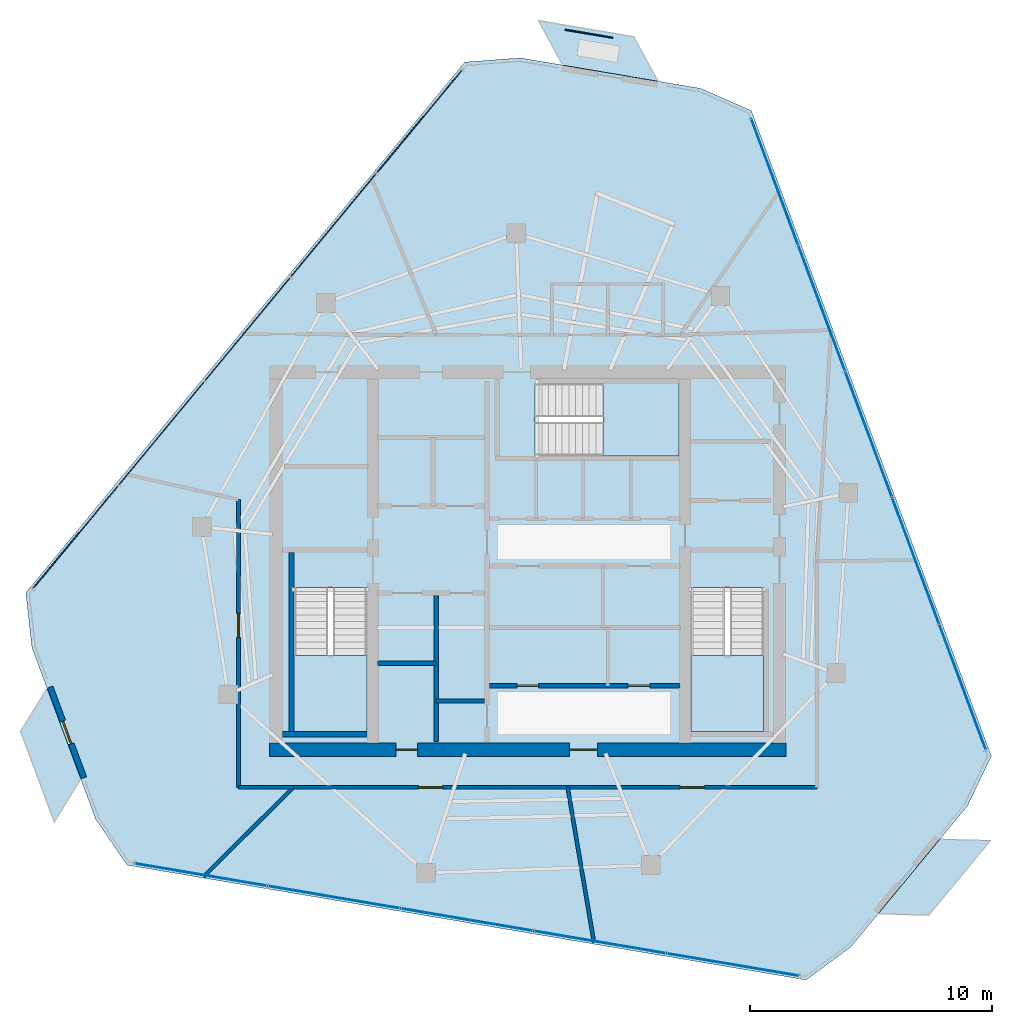
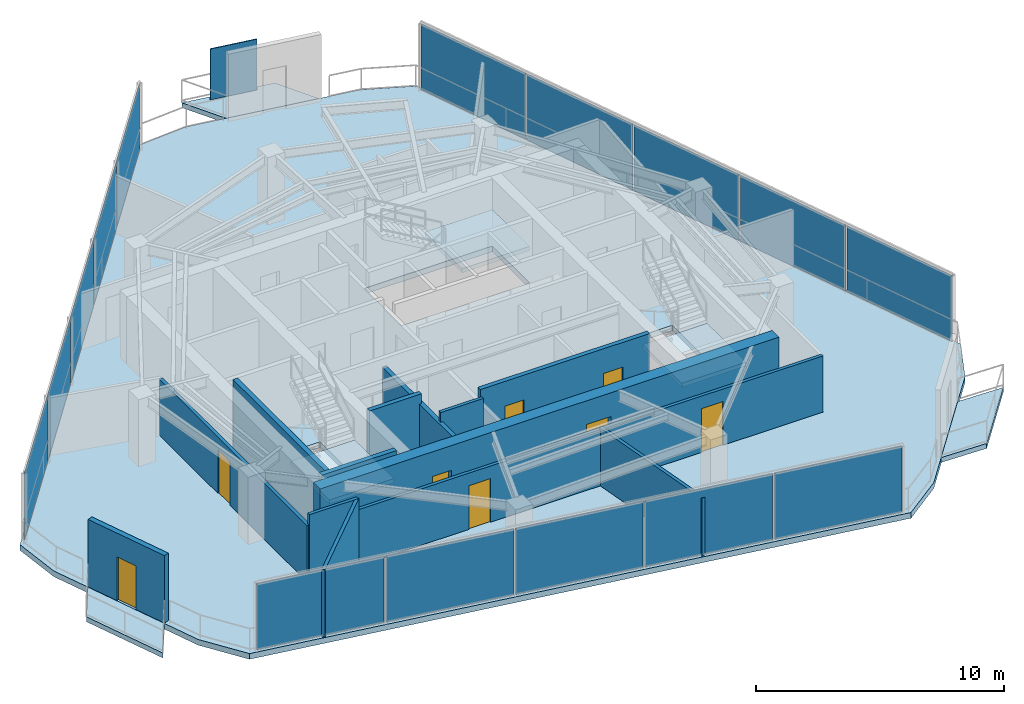
# One storey, part 14 of 19: 16 plates, 14 walls, 8 doors, 7 slabs, 8 openings, 6 elements without a shape of their own.
"""IFC4 building model written with IfcOpenShell, lengths in metres."""

from ifc_helpers import new_model, si_unit, direction, frame, frame_2d, origin, origin_2d, place, context, subcontext, project, spatial, polyline, rectangle, outline, extrude, material, layer, layer_set, type_object, element, fill, aggregate, save


model = new_model("IFC4")

# Units and contexts
model_context = context("Model", 3, precision=1e-05, world=origin(), true_north=direction((0.0, 1.0)))
body_context = subcontext(model_context, "Body", "Model", "MODEL_VIEW")
ifc_project = project(units=[si_unit("LENGTHUNIT", "METRE"), si_unit("AREAUNIT", "SQUARE_METRE"), si_unit("VOLUMEUNIT", "CUBIC_METRE"), si_unit("PLANEANGLEUNIT", "RADIAN"), si_unit("MASSUNIT", "GRAM", prefix="KILO")], contexts=[model_context])

# Site, building, storey
site_placement = place(None, origin())
site = spatial("IfcSite", under=ifc_project, at=site_placement, CompositionType="ELEMENT")
building_placement = place(site_placement, origin())
building = spatial("IfcBuilding", under=site, at=building_placement, Name="Qarnah Convention Tower", CompositionType="ELEMENT")
storey_placement = place(building_placement, frame((0.0, 0.0, 257.10009765625)))
storey = spatial("IfcBuildingStorey", under=building, at=storey_placement, Name="L69", CompositionType="ELEMENT", Elevation=257.10009765625)

# Curtain wall, plates
ifc_material_1 = material(Name="Tempered Low-E dark glass", Category="glass")
ifc_layer_1 = layer(ifc_material_1, 0.176025390625)
ifc_layer_set_1 = layer_set([ifc_layer_1], Name="Tempered Low-E dark glass")
curtain_wall_type = type_object("IfcCurtainWallType", Name="CWS-05", PredefinedType="NOTDEFINED", material=ifc_layer_set_1)
curtain_wall_1_placement = place(storey_placement, origin())
curtain_wall_1 = element("IfcCurtainWall", 1, at=curtain_wall_1_placement, inside=storey, type_object=curtain_wall_type, Name="L69 unitised curtain wall CW-L69-F1", PredefinedType="NOTDEFINED")
ifc_layer_2 = layer(ifc_material_1, 0.035888671875)
ifc_layer_set_2 = layer_set([ifc_layer_2], Name="Tempered Low-E dark glass")
plate_type_1 = type_object("IfcPlateType", Name="PNL-T5", PredefinedType="CURTAIN_PANEL", material=ifc_layer_set_2)
plate_1_placement = place(storey_placement, frame((45.677978515625, 9.7255859375, 0.0400390625), z_axis=(0.0, 0.0, 1.0), x_axis=(-0.985993152455, 0.166785800689, 0.0)))
plate_1 = element("IfcPlate", 2, at=plate_1_placement, type_object=plate_type_1, Name="CW-L69-F1 curtain panel 1.1", PredefinedType="CURTAIN_PANEL", context=body_context, shape_type="SweptSolid", body=[
    extrude(rectangle(XDim=5.489990234375, YDim=0.035888671875, at=origin_2d()), origin(), (0.0, 0.0, 1.0), 3.239990234375),
])
plate_2_placement = place(storey_placement, frame((40.18603515625, 10.654541015625, 0.0400390625), z_axis=(0.0, 0.0, 1.0), x_axis=(-0.985993152455, 0.166785800689, 0.0)))
plate_2 = element("IfcPlate", 3, at=plate_2_placement, type_object=plate_type_1, Name="CW-L69-F1 curtain panel 2.1", PredefinedType="CURTAIN_PANEL", context=body_context, shape_type="SweptSolid", body=[
    extrude(rectangle(XDim=5.489990234375, YDim=0.035888671875, at=origin_2d()), origin(), (0.0, 0.0, 1.0), 3.239990234375),
])
plate_3_placement = place(storey_placement, frame((34.694091796875, 11.58349609375, 0.0400390625), z_axis=(0.0, 0.0, 1.0), x_axis=(-0.985993152455, 0.166785800689, 0.0)))
plate_3 = element("IfcPlate", 4, at=plate_3_placement, type_object=plate_type_1, Name="CW-L69-F1 curtain panel 3.1", PredefinedType="CURTAIN_PANEL", context=body_context, shape_type="SweptSolid", body=[
    extrude(rectangle(XDim=5.489990234375, YDim=0.035888671875, at=origin_2d()), origin(), (0.0, 0.0, 1.0), 3.239990234375),
])
plate_4_placement = place(storey_placement, frame((29.201904296875, 12.512451171875, 0.0400390625), z_axis=(0.0, 0.0, 1.0), x_axis=(-0.985993152455, 0.166785800689, 0.0)))
plate_4 = element("IfcPlate", 5, at=plate_4_placement, type_object=plate_type_1, Name="CW-L69-F1 curtain panel 4.1", PredefinedType="CURTAIN_PANEL", context=body_context, shape_type="SweptSolid", body=[
    extrude(rectangle(XDim=5.489990234375, YDim=0.035888671875, at=origin_2d()), origin(), (0.0, 0.0, 1.0), 3.239990234375),
])
plate_5_placement = place(storey_placement, frame((23.7099609375, 13.44140625, 0.0400390625), z_axis=(0.0, 0.0, 1.0), x_axis=(-0.985993152455, 0.166785800689, 0.0)))
plate_5 = element("IfcPlate", 6, at=plate_5_placement, type_object=plate_type_1, Name="CW-L69-F1 curtain panel 5.1", PredefinedType="CURTAIN_PANEL", context=body_context, shape_type="SweptSolid", body=[
    extrude(rectangle(XDim=5.489990234375, YDim=0.035888671875, at=origin_2d()), origin(), (0.0, 0.0, 1.0), 3.239990234375),
])
aggregate(curtain_wall_1, [plate_1, plate_2, plate_3, plate_4, plate_5])

curtain_wall_2_placement = place(storey_placement, origin())
curtain_wall_2 = element("IfcCurtainWall", 7, at=curtain_wall_2_placement, inside=storey, type_object=curtain_wall_type, Name="L69 unitised curtain wall CW-L69-F2", PredefinedType="NOTDEFINED")
plate_6_placement = place(storey_placement, frame((47.40087890625, 42.07958984375, 0.0400390625), z_axis=(0.0, 0.0, 1.0), x_axis=(0.348572341778, -0.937281879985, 0.0)))
plate_6 = element("IfcPlate", 8, at=plate_6_placement, type_object=plate_type_1, Name="CW-L69-F2 curtain panel 1.1", PredefinedType="CURTAIN_PANEL", context=body_context, shape_type="SweptSolid", body=[
    extrude(rectangle(XDim=5.490234375, YDim=0.035888671875, at=origin_2d()), origin(), (0.0, 0.0, 1.0), 3.239990234375),
])
plate_7_placement = place(storey_placement, frame((49.34228515625, 36.85888671875, 0.0400390625), z_axis=(0.0, 0.0, 1.0), x_axis=(0.348572341778, -0.937281879985, 0.0)))
plate_7 = element("IfcPlate", 9, at=plate_7_placement, type_object=plate_type_1, Name="CW-L69-F2 curtain panel 2.1", PredefinedType="CURTAIN_PANEL", context=body_context, shape_type="SweptSolid", body=[
    extrude(rectangle(XDim=5.490234375, YDim=0.035888671875, at=origin_2d()), origin(), (0.0, 0.0, 1.0), 3.239990234375),
])
plate_8_placement = place(storey_placement, frame((51.283935546875, 31.637939453125, 0.0400390625), z_axis=(0.0, 0.0, 1.0), x_axis=(0.348572341778, -0.937281879985, 0.0)))
plate_8 = element("IfcPlate", 10, at=plate_8_placement, type_object=plate_type_1, Name="CW-L69-F2 curtain panel 3.1", PredefinedType="CURTAIN_PANEL", context=body_context, shape_type="SweptSolid", body=[
    extrude(rectangle(XDim=5.490234375, YDim=0.035888671875, at=origin_2d()), origin(), (0.0, 0.0, 1.0), 3.239990234375),
])
plate_9_placement = place(storey_placement, frame((53.2255859375, 26.417236328125, 0.0400390625), z_axis=(0.0, 0.0, 1.0), x_axis=(0.348572341778, -0.937281879985, 0.0)))
plate_9 = element("IfcPlate", 11, at=plate_9_placement, type_object=plate_type_1, Name="CW-L69-F2 curtain panel 4.1", PredefinedType="CURTAIN_PANEL", context=body_context, shape_type="SweptSolid", body=[
    extrude(rectangle(XDim=5.490234375, YDim=0.035888671875, at=origin_2d()), origin(), (0.0, 0.0, 1.0), 3.239990234375),
])
plate_10_placement = place(storey_placement, frame((55.167236328125, 21.1962890625, 0.0400390625), z_axis=(0.0, 0.0, 1.0), x_axis=(0.348572341778, -0.937281879985, 0.0)))
plate_10 = element("IfcPlate", 12, at=plate_10_placement, type_object=plate_type_1, Name="CW-L69-F2 curtain panel 5.1", PredefinedType="CURTAIN_PANEL", context=body_context, shape_type="SweptSolid", body=[
    extrude(rectangle(XDim=5.490234375, YDim=0.035888671875, at=origin_2d()), origin(), (0.0, 0.0, 1.0), 3.239990234375),
])
aggregate(curtain_wall_2, [plate_6, plate_7, plate_8, plate_9, plate_10])

curtain_wall_3_placement = place(storey_placement, origin())
curtain_wall_3 = element("IfcCurtainWall", 13, at=curtain_wall_3_placement, inside=storey, type_object=curtain_wall_type, Name="L69 unitised curtain wall CW-L69-F3", PredefinedType="NOTDEFINED")
plate_11_placement = place(storey_placement, frame((18.521240234375, 27.394775390625, 0.0400390625), z_axis=(0.0, 0.0, 1.0), x_axis=(0.637432488841, 0.770506211636, 0.0)))
plate_11 = element("IfcPlate", 14, at=plate_11_placement, type_object=plate_type_1, Name="CW-L69-F3 curtain panel 1.1", PredefinedType="CURTAIN_PANEL", context=body_context, shape_type="SweptSolid", body=[
    extrude(rectangle(XDim=5.48974609375, YDim=0.035888671875, at=origin_2d()), origin(), (0.0, 0.0, 1.0), 3.239990234375),
])
plate_12_placement = place(storey_placement, frame((22.071533203125, 31.686279296875, 0.0400390625), z_axis=(0.0, 0.0, 1.0), x_axis=(0.637432488841, 0.770506211636, 0.0)))
plate_12 = element("IfcPlate", 15, at=plate_12_placement, type_object=plate_type_1, Name="CW-L69-F3 curtain panel 2.1", PredefinedType="CURTAIN_PANEL", context=body_context, shape_type="SweptSolid", body=[
    extrude(rectangle(XDim=5.48974609375, YDim=0.035888671875, at=origin_2d()), origin(), (0.0, 0.0, 1.0), 3.239990234375),
])
plate_13_placement = place(storey_placement, frame((25.6220703125, 35.97802734375, 0.0400390625), z_axis=(0.0, 0.0, 1.0), x_axis=(0.637432488841, 0.770506211636, 0.0)))
plate_13 = element("IfcPlate", 16, at=plate_13_placement, type_object=plate_type_1, Name="CW-L69-F3 curtain panel 3.1", PredefinedType="CURTAIN_PANEL", context=body_context, shape_type="SweptSolid", body=[
    extrude(rectangle(XDim=5.48974609375, YDim=0.035888671875, at=origin_2d()), origin(), (0.0, 0.0, 1.0), 3.239990234375),
])
plate_14_placement = place(storey_placement, frame((29.17236328125, 40.26953125, 0.0400390625), z_axis=(0.0, 0.0, 1.0), x_axis=(0.637432488841, 0.770506211636, 0.0)))
plate_14 = element("IfcPlate", 17, at=plate_14_placement, type_object=plate_type_1, Name="CW-L69-F3 curtain panel 4.1", PredefinedType="CURTAIN_PANEL", context=body_context, shape_type="SweptSolid", body=[
    extrude(rectangle(XDim=5.48974609375, YDim=0.035888671875, at=origin_2d()), origin(), (0.0, 0.0, 1.0), 3.239990234375),
])
plate_15_placement = place(storey_placement, frame((32.722900390625, 44.561279296875, 0.0400390625), z_axis=(0.0, 0.0, 1.0), x_axis=(0.637432488841, 0.770506211636, 0.0)))
plate_15 = element("IfcPlate", 18, at=plate_15_placement, type_object=plate_type_1, Name="CW-L69-F3 curtain panel 5.1", PredefinedType="CURTAIN_PANEL", context=body_context, shape_type="SweptSolid", body=[
    extrude(rectangle(XDim=5.48974609375, YDim=0.035888671875, at=origin_2d()), origin(), (0.0, 0.0, 1.0), 3.239990234375),
])
aggregate(curtain_wall_3, [plate_11, plate_12, plate_13, plate_14, plate_15])

# Plate
ifc_material_2 = material(Name="Black anodised aluminium", Category="aluminium")
ifc_layer_3 = layer(ifc_material_2, 0.044921875)
ifc_layer_set_3 = layer_set([ifc_layer_3], Name="Black anodised aluminium")
plate_type_2 = type_object("IfcPlateType", Name="SCR-BAL-18", PredefinedType="USERDEFINED", material=ifc_layer_set_3)
plate_16_placement = place(storey_placement, frame((39.72705078125, 48.18701171875, 0.0), z_axis=(0.0, 0.0, 1.0), x_axis=(0.985999238619, -0.16674981692, 0.0)))
element("IfcPlate", 19, at=plate_16_placement, inside=storey, type_object=plate_type_2, Name="L69 perforated desert solar screen BAL-L69-C1", ObjectType="SCREEN", PredefinedType="USERDEFINED", context=body_context, shape_type="SweptSolid", body=[
    extrude(rectangle(XDim=2.0, YDim=0.044921875, at=origin_2d()), origin(), (0.0, 0.0, 1.0), 2.5),
])

# Slabs
ifc_material_3 = material(Name="Concrete C45/55", Category="concrete")
ifc_layer_4 = layer(ifc_material_3, 0.239990234375)
ifc_layer_set_4 = layer_set([ifc_layer_4], Name="Concrete C45/55")
slab_type_1 = type_object("IfcSlabType", Name="SLB-BAL-240", PredefinedType="USERDEFINED", material=ifc_layer_set_4)
slab_1_placement = place(storey_placement, frame((0.0, 0.0, -0.239990234375)))
element("IfcSlab", 20, at=slab_1_placement, inside=storey, type_object=slab_type_1, Name="L69 cantilevered balcony slab BAL-L69-C1", ObjectType="BALCONY", PredefinedType="USERDEFINED", context=body_context, shape_type="SweptSolid", body=[
    extrude(outline(polyline([(37.64111328125, 48.73193359375), (41.5849609375, 48.06494140625), (42.5810546875, 46.22412109375), (38.636962890625, 46.89111328125), (37.64111328125, 48.73193359375)])), origin(), (0.0, 0.0, 1.0), 0.239990234375),
])
slab_2_placement = place(storey_placement, frame((0.0, 0.0, -0.239990234375)))
element("IfcSlab", 21, at=slab_2_placement, inside=storey, type_object=slab_type_1, Name="L69 cantilevered balcony slab BAL-L69-C2", ObjectType="BALCONY", PredefinedType="USERDEFINED", context=body_context, shape_type="SweptSolid", body=[
    extrude(outline(polyline([(17.639892578125, 15.615966796875), (16.2451171875, 19.364990234375), (17.342041015625, 21.14794921875), (18.736083984375, 17.39892578125), (17.639892578125, 15.615966796875)])), origin(), (0.0, 0.0, 1.0), 0.239990234375),
])
slab_3_placement = place(storey_placement, frame((0.0, 0.0, -0.239990234375)))
element("IfcSlab", 22, at=slab_3_placement, inside=storey, type_object=slab_type_1, Name="L69 cantilevered balcony slab BAL-L69-C3", ObjectType="BALCONY", PredefinedType="USERDEFINED", context=body_context, shape_type="SweptSolid", body=[
    extrude(outline(polyline([(56.319091796875, 14.85205078125), (53.76904296875, 11.77001953125), (51.677978515625, 11.827880859375), (54.22705078125, 14.909912109375), (56.319091796875, 14.85205078125)])), origin(), (0.0, 0.0, 1.0), 0.239990234375),
])

# Stair, slab
ifc_material_4 = material(Name="Concrete C50/60", Category="concrete")
stair_type = type_object("IfcStairType", Name="STR-OFF", PredefinedType="HALF_TURN_STAIR", material=ifc_material_4)
stair_1_placement = place(storey_placement, origin())
stair_1 = element("IfcStair", 23, at=stair_1_placement, inside=storey, type_object=stair_type, Name="L69 Core exit stair ST-1", PredefinedType="HALF_TURN_STAIR")
ifc_layer_5 = layer(ifc_material_4, 0.199951171875)
ifc_layer_set_5 = layer_set([ifc_layer_5], Name="Concrete C50/60")
slab_type_2 = type_object("IfcSlabType", Name="SLB-LANDING-200", PredefinedType="LANDING", material=ifc_layer_set_5)
slab_4_placement = place(storey_placement, frame((0.0, 0.0, 1.599853515625)))
slab_4 = element("IfcSlab", 24, at=slab_4_placement, type_object=slab_type_2, Name="ST-1 landing 1", PredefinedType="LANDING", context=body_context, shape_type="SweptSolid", body=[
    extrude(outline(polyline([(27.550048828125, 22.5), (27.550048828125, 19.35009765625), (30.550048828125, 19.35009765625), (30.550048828125, 22.5), (27.550048828125, 22.5)])), origin(), (0.0, 0.0, 1.0), 0.199951171875),
])
aggregate(stair_1, [slab_4])

stair_2_placement = place(storey_placement, origin())
stair_2 = element("IfcStair", 25, at=stair_2_placement, inside=storey, type_object=stair_type, Name="L69 Core exit stair ST-2", PredefinedType="HALF_TURN_STAIR")
slab_5_placement = place(storey_placement, frame((0.0, 0.0, 1.599853515625)))
slab_5 = element("IfcSlab", 26, at=slab_5_placement, type_object=slab_type_2, Name="ST-2 landing 1", PredefinedType="LANDING", context=body_context, shape_type="SweptSolid", body=[
    extrude(outline(polyline([(43.949951171875, 22.5), (43.949951171875, 19.35009765625), (46.949951171875, 19.35009765625), (46.949951171875, 22.5), (43.949951171875, 22.5)])), origin(), (0.0, 0.0, 1.0), 0.199951171875),
])
aggregate(stair_2, [slab_5])

stair_3_placement = place(storey_placement, origin())
stair_3 = element("IfcStair", 27, at=stair_3_placement, inside=storey, type_object=stair_type, Name="L69 Core exit stair ST-3", PredefinedType="HALF_TURN_STAIR")
slab_6_placement = place(storey_placement, frame((0.0, 0.0, 1.599853515625)))
slab_6 = element("IfcSlab", 28, at=slab_6_placement, type_object=slab_type_2, Name="ST-3 landing 1", PredefinedType="LANDING", context=body_context, shape_type="SweptSolid", body=[
    extrude(outline(polyline([(40.300048828125, 30.75), (43.449951171875, 30.75), (43.449951171875, 33.75), (40.300048828125, 33.75), (40.300048828125, 30.75)])), origin(), (0.0, 0.0, 1.0), 0.199951171875),
])
aggregate(stair_3, [slab_6])

# Slab
ifc_layer_6 = layer(ifc_material_3, 0.280029296875)
ifc_layer_set_6 = layer_set([ifc_layer_6], Name="Concrete C45/55")
slab_type_3 = type_object("IfcSlabType", Name="SLB-TWR-280", PredefinedType="FLOOR", material=ifc_layer_set_6)
slab_7_placement = place(storey_placement, frame((0.0, 0.0, -0.280029296875)))
element("IfcSlab", 29, at=slab_7_placement, inside=storey, type_object=slab_type_3, Name="L69 structural floor slab", PredefinedType="FLOOR", context=body_context, shape_type="SweptSolid", body=[
    extrude(outline(polyline([(34.596923828125, 47.014892578125), (16.4619140625, 25.093994140625), (16.718017578125, 22.81396484375), (19.35205078125, 15.73095703125), (20.64794921875, 13.837890625), (48.699951171875, 9.093017578125), (50.547119140625, 10.455078125), (55.364013671875, 16.278076171875), (56.35498046875, 18.346923828125), (46.43798828125, 45.012939453125), (44.3359375, 45.930908203125), (36.884033203125, 47.19091796875), (34.596923828125, 47.014892578125)]), holes=[polyline([(27.550048828125, 25.300048828125), (27.550048828125, 19.35009765625), (30.550048828125, 19.35009765625), (30.550048828125, 25.300048828125), (27.550048828125, 25.300048828125)]), polyline([(43.949951171875, 25.300048828125), (43.949951171875, 19.35009765625), (46.949951171875, 19.35009765625), (46.949951171875, 25.300048828125), (43.949951171875, 25.300048828125)]), polyline([(37.5, 30.75), (43.449951171875, 30.75), (43.449951171875, 33.75), (37.5, 33.75), (37.5, 30.75)])]), origin(), (0.0, 0.0, 1.0), 0.280029296875),
])

# Wall, openings, doors
ifc_material_5 = material(Name="Concrete C60/75", Category="concrete")
ifc_layer_7 = layer(ifc_material_5, 0.550048828125)
ifc_layer_set_7 = layer_set([ifc_layer_7], Name="Concrete C60/75")
wall_type_1 = type_object("IfcWallType", Name="WL-CORE-550", PredefinedType="SHEAR", material=ifc_layer_set_7)
wall_1_placement = place(storey_placement, frame((26.52490234375, 18.60009765625, 0.0), z_axis=(0.0, 0.0, 1.0), x_axis=(1.0, 0.0, 0.0)))
wall_1 = element("IfcWall", 30, at=wall_1_placement, inside=storey, type_object=wall_type_1, Name="L69 core south shear wall", PredefinedType="SHEAR", context=body_context, shape_type="SweptSolid", body=[
    extrude(rectangle(XDim=21.35009765625, YDim=0.550048828125, at=frame_2d((10.675048828125, 0.0))), origin(), (0.0, 0.0, 1.0), 3.31982421875),
])
opening_1_placement = place(wall_1_placement, frame((12.39990234375, 0.0, 0.0)))
opening_1 = element("IfcOpeningElement", 31, at=opening_1_placement, cuts=wall_1, Name="Opening D-6907", PredefinedType="OPENING", context=body_context, shape_type="SweptSolid", body=[
    extrude(rectangle(XDim=1.14990234375, YDim=2.14990234375, at=frame_2d((0.574951171875, 1.074951171875))), frame((0.0, 0.284912109375, 0.0), z_axis=(0.0, -1.0, 0.0), x_axis=(1.0, 0.0, 0.0)), (0.0, 0.0, 1.0), 0.570068359375),
])
opening_2_placement = place(wall_1_placement, frame((5.22509765625, 0.0, 0.0)))
opening_2 = element("IfcOpeningElement", 32, at=opening_2_placement, cuts=wall_1, Name="Opening D-6913", PredefinedType="OPENING", context=body_context, shape_type="SweptSolid", body=[
    extrude(rectangle(XDim=0.89990234375, YDim=2.10009765625, at=frame_2d((0.449951171875, 1.050048828125))), frame((0.0, 0.284912109375, 0.0), z_axis=(0.0, -1.0, 0.0), x_axis=(1.0, 0.0, 0.0)), (0.0, 0.0, 1.0), 0.570068359375),
])
ifc_material_6 = material(Name="Structural steel S355JR", Category="steel")
door_type_1 = type_object("IfcDoorType", Name="DT-LOBBY-1150", OperationType="NOTDEFINED", PredefinedType="DOOR", material=ifc_material_6)
door_1_placement = place(opening_1_placement, origin())
door_1 = element("IfcDoor", 33, at=door_1_placement, inside=storey, type_object=door_type_1, Name="Door D-6907", OperationType="SINGLE_SWING_LEFT", OverallHeight=2.14990234375, OverallWidth=1.14990234375, PredefinedType="DOOR", context=body_context, shape_type="SweptSolid", body=[
    extrude(rectangle(XDim=1.14990234375, YDim=2.14990234375, at=frame_2d((0.574951171875, 1.074951171875))), frame((0.0, 0.02490234375, 0.0), z_axis=(0.0, -1.0, 0.0), x_axis=(1.0, 0.0, 0.0)), (0.0, 0.0, 1.0), 0.050048828125),
])
fill(opening_1, door_1)
door_type_2 = type_object("IfcDoorType", Name="DT-RISER-900", OperationType="NOTDEFINED", PredefinedType="DOOR", material=ifc_material_6)
door_2_placement = place(opening_2_placement, origin())
door_2 = element("IfcDoor", 34, at=door_2_placement, inside=storey, type_object=door_type_2, Name="Door D-6913", OperationType="SINGLE_SWING_LEFT", OverallHeight=2.10009765625, OverallWidth=0.89990234375, PredefinedType="DOOR", context=body_context, shape_type="SweptSolid", body=[
    extrude(rectangle(XDim=0.89990234375, YDim=2.10009765625, at=frame_2d((0.449951171875, 1.050048828125))), frame((0.0, 0.02490234375, 0.0), z_axis=(0.0, -1.0, 0.0), x_axis=(1.0, 0.0, 0.0)), (0.0, 0.0, 1.0), 0.050048828125),
])
fill(opening_2, door_2)

# Walls
ifc_layer_8 = layer(ifc_material_3, 0.199951171875)
ifc_layer_set_8 = layer_set([ifc_layer_8], Name="Concrete C45/55")
wall_type_2 = type_object("IfcWallType", Name="WL-CORE-PART-200", PredefinedType="SOLIDWALL", material=ifc_layer_set_8)
wall_2_placement = place(storey_placement, frame((33.419921875, 18.949951171875, 0.0), z_axis=(0.0, 0.0, 1.0), x_axis=(0.0, 1.0, 0.0)))
element("IfcWall", 35, at=wall_2_placement, inside=storey, type_object=wall_type_2, Name="L69 interior wall IW-L69-SVLE", PredefinedType="SOLIDWALL", context=body_context, shape_type="SweptSolid", body=[
    extrude(rectangle(XDim=6.130126953125, YDim=0.199951171875, at=frame_2d((3.06494140625, 0.0))), origin(), (0.0, 0.0, 1.0), 2.8408203125),
])
wall_3_placement = place(storey_placement, frame((31.0, 22.179931640625, 0.0), z_axis=(0.0, 0.0, 1.0), x_axis=(1.0, 0.0, 0.0)))
element("IfcWall", 36, at=wall_3_placement, inside=storey, type_object=wall_type_2, Name="L69 interior wall IW-L69-SVLS", PredefinedType="SOLIDWALL", context=body_context, shape_type="SweptSolid", body=[
    extrude(rectangle(XDim=2.419921875, YDim=0.199951171875, at=frame_2d((1.2099609375, 0.0))), origin(), (0.0, 0.0, 1.0), 3.31982421875),
])

# Wall, openings, doors
wall_4_placement = place(storey_placement, frame((35.6201171875, 21.25, 0.0), z_axis=(0.0, 0.0, 1.0), x_axis=(1.0, 0.0, 0.0)))
wall_4 = element("IfcWall", 37, at=wall_4_placement, inside=storey, type_object=wall_type_2, Name="L69 interior wall IW-L69-PLS", PredefinedType="SOLIDWALL", context=body_context, shape_type="SweptSolid", body=[
    extrude(rectangle(XDim=7.8798828125, YDim=0.199951171875, at=frame_2d((3.93994140625, 0.0))), origin(), (0.0, 0.0, 1.0), 3.31982421875),
])
opening_3_placement = place(wall_4_placement, frame((1.1298828125, 0.0, 0.0)))
opening_3 = element("IfcOpeningElement", 38, at=opening_3_placement, cuts=wall_4, Name="Opening D-6916", PredefinedType="OPENING", context=body_context, shape_type="SweptSolid", body=[
    extrude(rectangle(XDim=0.89990234375, YDim=2.10009765625, at=frame_2d((0.449951171875, 1.050048828125))), frame((0.0, 0.10986328125, 0.0), z_axis=(0.0, -1.0, 0.0), x_axis=(1.0, 0.0, 0.0)), (0.0, 0.0, 1.0), 0.219970703125),
])
opening_4_placement = place(wall_4_placement, frame((5.72998046875, 0.0, 0.0)))
opening_4 = element("IfcOpeningElement", 39, at=opening_4_placement, cuts=wall_4, Name="Opening D-6917", PredefinedType="OPENING", context=body_context, shape_type="SweptSolid", body=[
    extrude(rectangle(XDim=0.89990234375, YDim=2.10009765625, at=frame_2d((0.449951171875, 1.050048828125))), frame((0.0, 0.10986328125, 0.0), z_axis=(0.0, -1.0, 0.0), x_axis=(1.0, 0.0, 0.0)), (0.0, 0.0, 1.0), 0.219970703125),
])
door_3_placement = place(opening_3_placement, origin())
door_3 = element("IfcDoor", 40, at=door_3_placement, inside=storey, type_object=door_type_2, Name="Door D-6916", OperationType="SINGLE_SWING_RIGHT", OverallHeight=2.10009765625, OverallWidth=0.89990234375, PredefinedType="DOOR", context=body_context, shape_type="SweptSolid", body=[
    extrude(rectangle(XDim=0.89990234375, YDim=2.10009765625, at=frame_2d((0.449951171875, 1.050048828125))), frame((0.0, 0.02490234375, 0.0), z_axis=(0.0, -1.0, 0.0), x_axis=(1.0, 0.0, 0.0)), (0.0, 0.0, 1.0), 0.050048828125),
])
fill(opening_3, door_3)
door_4_placement = place(opening_4_placement, origin())
door_4 = element("IfcDoor", 41, at=door_4_placement, inside=storey, type_object=door_type_2, Name="Door D-6917", OperationType="SINGLE_SWING_LEFT", OverallHeight=2.10009765625, OverallWidth=0.89990234375, PredefinedType="DOOR", context=body_context, shape_type="SweptSolid", body=[
    extrude(rectangle(XDim=0.89990234375, YDim=2.10009765625, at=frame_2d((0.449951171875, 1.050048828125))), frame((0.0, 0.02490234375, 0.0), z_axis=(0.0, -1.0, 0.0), x_axis=(1.0, 0.0, 0.0)), (0.0, 0.0, 1.0), 0.050048828125),
])
fill(opening_4, door_4)

# Walls
ifc_layer_9 = layer(ifc_material_5, 0.219970703125)
ifc_layer_set_9 = layer_set([ifc_layer_9], Name="Concrete C60/75")
wall_type_3 = type_object("IfcWallType", Name="WL-CORE-STAIR-220", PredefinedType="SHEAR", material=ifc_layer_set_9)
wall_5_placement = place(storey_placement, frame((27.43994140625, 19.35009765625, 0.0), z_axis=(0.0, 0.0, 1.0), x_axis=(0.0, 1.0, 0.0)))
element("IfcWall", 42, at=wall_5_placement, inside=storey, type_object=wall_type_3, Name="L69 stair shaft shear wall SW-L69-ST1W", PredefinedType="SHEAR", context=body_context, shape_type="SweptSolid", body=[
    extrude(rectangle(XDim=7.39990234375, YDim=0.219970703125, at=frame_2d((3.699951171875, 0.0))), origin(), (0.0, 0.0, 1.0), 3.31982421875),
])
wall_6_placement = place(storey_placement, frame((27.074951171875, 19.239990234375, 0.0), z_axis=(0.0, 0.0, 1.0), x_axis=(1.0, 0.0, 0.0)))
element("IfcWall", 43, at=wall_6_placement, inside=storey, type_object=wall_type_3, Name="L69 stair shaft shear wall SW-L69-ST1S", PredefinedType="SHEAR", context=body_context, shape_type="SweptSolid", body=[
    extrude(rectangle(XDim=3.47509765625, YDim=0.219970703125, at=frame_2d((1.737548828125, 0.0))), origin(), (0.0, 0.0, 1.0), 3.31982421875),
])

# Wall, opening, door
ifc_material_7 = material(Name="Precast concrete C45/55", Category="concrete")
ifc_layer_10 = layer(ifc_material_7, 0.239990234375)
ifc_layer_set_10 = layer_set([ifc_layer_10], Name="Precast concrete C45/55")
wall_type_4 = type_object("IfcWallType", Name="WL-EXT-BAL-240", PredefinedType="SOLIDWALL", material=ifc_layer_set_10)
wall_7_placement = place(storey_placement, frame((18.863037109375, 17.447021484375, 0.0), z_axis=(0.0, 0.0, 1.0), x_axis=(-0.348526725405, 0.937298843314, 0.0)))
wall_7 = element("IfcWall", 44, at=wall_7_placement, inside=storey, type_object=wall_type_4, Name="L69 loggia threshold wall BAL-L69-C2", PredefinedType="SOLIDWALL", context=body_context, shape_type="SweptSolid", body=[
    extrude(rectangle(XDim=3.999755859375, YDim=0.239990234375, at=frame_2d((2.0, 0.0))), origin(), (0.0, 0.0, 1.0), 3.31982421875),
])
opening_5_placement = place(wall_7_placement, frame((1.5, 0.0, 0.0)))
opening_5 = element("IfcOpeningElement", 45, at=opening_5_placement, cuts=wall_7, Name="Opening BD-6902", PredefinedType="OPENING", context=body_context, shape_type="SweptSolid", body=[
    extrude(rectangle(XDim=1.0, YDim=2.14990234375, at=frame_2d((0.5, 1.074951171875))), frame((0.0, 0.1298828125, 0.0), z_axis=(0.0, -1.0, 0.0), x_axis=(1.0, 0.0, 0.0)), (0.0, 0.0, 1.0), 0.260009765625),
])
door_type_3 = type_object("IfcDoorType", Name="DT-BAL-1000", OperationType="NOTDEFINED", PredefinedType="DOOR", material=ifc_material_2)
door_5_placement = place(opening_5_placement, origin())
door_5 = element("IfcDoor", 46, at=door_5_placement, inside=storey, type_object=door_type_3, Name="L69 balcony terrace door BAL-L69-C2", OperationType="SINGLE_SWING_LEFT", OverallHeight=2.14990234375, OverallWidth=1.0, PredefinedType="DOOR", context=body_context, shape_type="SweptSolid", body=[
    extrude(rectangle(XDim=1.0, YDim=2.14990234375, at=frame_2d((0.5, 1.074951171875))), frame((0.0, 0.02490234375, 0.0), z_axis=(0.0, -1.0, 0.0), x_axis=(1.0, 0.0, 0.0)), (0.0, 0.0, 1.0), 0.050048828125),
])
fill(opening_5, door_5)

# Walls
ifc_material_8 = material(Name="Gypsum partition board")
ifc_layer_11 = layer(ifc_material_8, 0.14990234375)
ifc_layer_set_11 = layer_set([ifc_layer_11], Name="Gypsum partition board")
wall_type_5 = type_object("IfcWallType", Name="WL-SUITE-150", PredefinedType="PARTITIONING", material=ifc_layer_set_11)
wall_8_placement = place(storey_placement, frame((33.419921875, 20.6201171875, 0.0), z_axis=(0.0, 0.0, 1.0), x_axis=(1.0, 0.0, 0.0)))
element("IfcWall", 47, at=wall_8_placement, inside=storey, type_object=wall_type_5, Name="L69 interior wall IW-L69-CSV1", PredefinedType="PARTITIONING", context=body_context, shape_type="SweptSolid", body=[
    extrude(rectangle(XDim=2.0, YDim=0.14990234375, at=frame_2d((1.0, 0.0))), origin(), (0.0, 0.0, 1.0), 3.31982421875),
])
wall_9_placement = place(storey_placement, frame((23.80810546875, 13.368896484375, 0.0), z_axis=(0.0, 0.0, 1.0), x_axis=(0.709857503175, 0.70434531672, 0.0)))
element("IfcWall", 48, at=wall_9_placement, inside=storey, type_object=wall_type_5, Name="L69 interior wall IW-L69-R-16", PredefinedType="PARTITIONING", context=body_context, shape_type="SweptSolid", body=[
    extrude(rectangle(XDim=5.226318359375, YDim=0.14990234375, at=frame_2d((2.61328125, 0.0))), origin(), (0.0, 0.0, 1.0), 3.31982421875),
])
wall_10_placement = place(storey_placement, frame((27.51806640625, 17.050048828125, 0.0), z_axis=(0.0, 0.0, 1.0), x_axis=(-1.0, 0.0, 0.0)))
element("IfcWall", 49, at=wall_10_placement, inside=storey, type_object=wall_type_5, Name="L69 interior wall IW-L69-R-17", PredefinedType="PARTITIONING", context=body_context, shape_type="SweptSolid", body=[
    extrude(rectangle(XDim=2.26806640625, YDim=0.14990234375, at=frame_2d((1.134033203125, 0.0))), origin(), (0.0, 0.0, 1.0), 3.31982421875),
])

# Wall, opening, door
wall_11_placement = place(storey_placement, frame((25.25, 17.050048828125, 0.0), z_axis=(0.0, 0.0, 1.0), x_axis=(0.0, 1.0, 0.0)))
wall_11 = element("IfcWall", 50, at=wall_11_placement, inside=storey, type_object=wall_type_5, Name="L69 interior wall IW-L69-R-18", PredefinedType="PARTITIONING", context=body_context, shape_type="SweptSolid", body=[
    extrude(rectangle(XDim=11.889892578125, YDim=0.14990234375, at=frame_2d((5.94482421875, 0.0))), origin(), (0.0, 0.0, 1.0), 2.768798828125),
])
opening_6_placement = place(wall_11_placement, frame((6.18896484375, 0.0, 0.0)))
opening_6 = element("IfcOpeningElement", 51, at=opening_6_placement, cuts=wall_11, Name="Opening D-6925", PredefinedType="OPENING", context=body_context, shape_type="SweptSolid", body=[
    extrude(rectangle(XDim=1.0, YDim=2.14990234375, at=frame_2d((0.5, 1.074951171875))), frame((0.0, 0.0849609375, 0.0), z_axis=(0.0, -1.0, 0.0), x_axis=(1.0, 0.0, 0.0)), (0.0, 0.0, 1.0), 0.169921875),
])
ifc_material_9 = material(Name="Oak timber veneer", Category="wood")
door_type_4 = type_object("IfcDoorType", Name="DT-OFFICE-1000", OperationType="NOTDEFINED", PredefinedType="DOOR", material=ifc_material_9)
door_6_placement = place(opening_6_placement, origin())
door_6 = element("IfcDoor", 52, at=door_6_placement, inside=storey, type_object=door_type_4, Name="Door D-6925", OperationType="SINGLE_SWING_LEFT", OverallHeight=2.14990234375, OverallWidth=1.0, PredefinedType="DOOR", context=body_context, shape_type="SweptSolid", body=[
    extrude(rectangle(XDim=1.0, YDim=2.14990234375, at=frame_2d((0.5, 1.074951171875))), frame((0.0, 0.02490234375, 0.0), z_axis=(0.0, -1.0, 0.0), x_axis=(1.0, 0.0, 0.0)), (0.0, 0.0, 1.0), 0.050048828125),
])
fill(opening_6, door_6)

# Wall
wall_12_placement = place(storey_placement, frame((39.93603515625, 10.652099609375, 0.0), z_axis=(0.0, 0.0, 1.0), x_axis=(-0.167485071108, 0.985874612188, 0.0)))
element("IfcWall", 53, at=wall_12_placement, inside=storey, type_object=wall_type_5, Name="L69 interior wall IW-L69-R-20", PredefinedType="PARTITIONING", context=body_context, shape_type="SweptSolid", body=[
    extrude(rectangle(XDim=6.489501953125, YDim=0.14990234375, at=frame_2d((3.24462890625, 0.0))), origin(), (0.0, 0.0, 1.0), 2.844970703125),
])

# Wall, opening, door
wall_13_placement = place(storey_placement, frame((38.84912109375, 17.050048828125, 0.0), z_axis=(0.0, 0.0, 1.0), x_axis=(-1.0, 0.0, 0.0)))
wall_13 = element("IfcWall", 54, at=wall_13_placement, inside=storey, type_object=wall_type_5, Name="L69 interior wall IW-L69-R-21", PredefinedType="PARTITIONING", context=body_context, shape_type="SweptSolid", body=[
    extrude(rectangle(XDim=11.3310546875, YDim=0.14990234375, at=frame_2d((5.66552734375, 0.0))), origin(), (0.0, 0.0, 1.0), 2.768798828125),
])
opening_7_placement = place(wall_13_placement, frame((5.1650390625, 0.0, 0.0)))
opening_7 = element("IfcOpeningElement", 55, at=opening_7_placement, cuts=wall_13, Name="Opening D-6926", PredefinedType="OPENING", context=body_context, shape_type="SweptSolid", body=[
    extrude(rectangle(XDim=1.0, YDim=2.14990234375, at=frame_2d((0.5, 1.074951171875))), frame((0.0, 0.0849609375, 0.0), z_axis=(0.0, -1.0, 0.0), x_axis=(1.0, 0.0, 0.0)), (0.0, 0.0, 1.0), 0.169921875),
])
door_7_placement = place(opening_7_placement, origin())
door_7 = element("IfcDoor", 56, at=door_7_placement, inside=storey, type_object=door_type_4, Name="Door D-6926", OperationType="SINGLE_SWING_RIGHT", OverallHeight=2.14990234375, OverallWidth=1.0, PredefinedType="DOOR", context=body_context, shape_type="SweptSolid", body=[
    extrude(rectangle(XDim=1.0, YDim=2.14990234375, at=frame_2d((0.5, 1.074951171875))), frame((0.0, 0.02490234375, 0.0), z_axis=(0.0, -1.0, 0.0), x_axis=(1.0, 0.0, 0.0)), (0.0, 0.0, 1.0), 0.050048828125),
])
fill(opening_7, door_7)

wall_14_placement = place(storey_placement, frame((49.14990234375, 17.050048828125, 0.0), z_axis=(0.0, 0.0, 1.0), x_axis=(-1.0, 0.0, 0.0)))
wall_14 = element("IfcWall", 57, at=wall_14_placement, inside=storey, type_object=wall_type_5, Name="L69 interior wall IW-L69-R-23", PredefinedType="PARTITIONING", context=body_context, shape_type="SweptSolid", body=[
    extrude(rectangle(XDim=10.30078125, YDim=0.14990234375, at=frame_2d((5.150390625, 0.0))), origin(), (0.0, 0.0, 1.0), 2.768798828125),
])
opening_8_placement = place(wall_14_placement, frame((4.65087890625, 0.0, 0.0)))
opening_8 = element("IfcOpeningElement", 58, at=opening_8_placement, cuts=wall_14, Name="Opening D-6927", PredefinedType="OPENING", context=body_context, shape_type="SweptSolid", body=[
    extrude(rectangle(XDim=1.0, YDim=2.14990234375, at=frame_2d((0.5, 1.074951171875))), frame((0.0, 0.0849609375, 0.0), z_axis=(0.0, -1.0, 0.0), x_axis=(1.0, 0.0, 0.0)), (0.0, 0.0, 1.0), 0.169921875),
])
door_8_placement = place(opening_8_placement, origin())
door_8 = element("IfcDoor", 59, at=door_8_placement, inside=storey, type_object=door_type_4, Name="Door D-6927", OperationType="SINGLE_SWING_LEFT", OverallHeight=2.14990234375, OverallWidth=1.0, PredefinedType="DOOR", context=body_context, shape_type="SweptSolid", body=[
    extrude(rectangle(XDim=1.0, YDim=2.14990234375, at=frame_2d((0.5, 1.074951171875))), frame((0.0, 0.02490234375, 0.0), z_axis=(0.0, -1.0, 0.0), x_axis=(1.0, 0.0, 0.0)), (0.0, 0.0, 1.0), 0.050048828125),
])
fill(opening_8, door_8)

save(model, "model.ifc")
